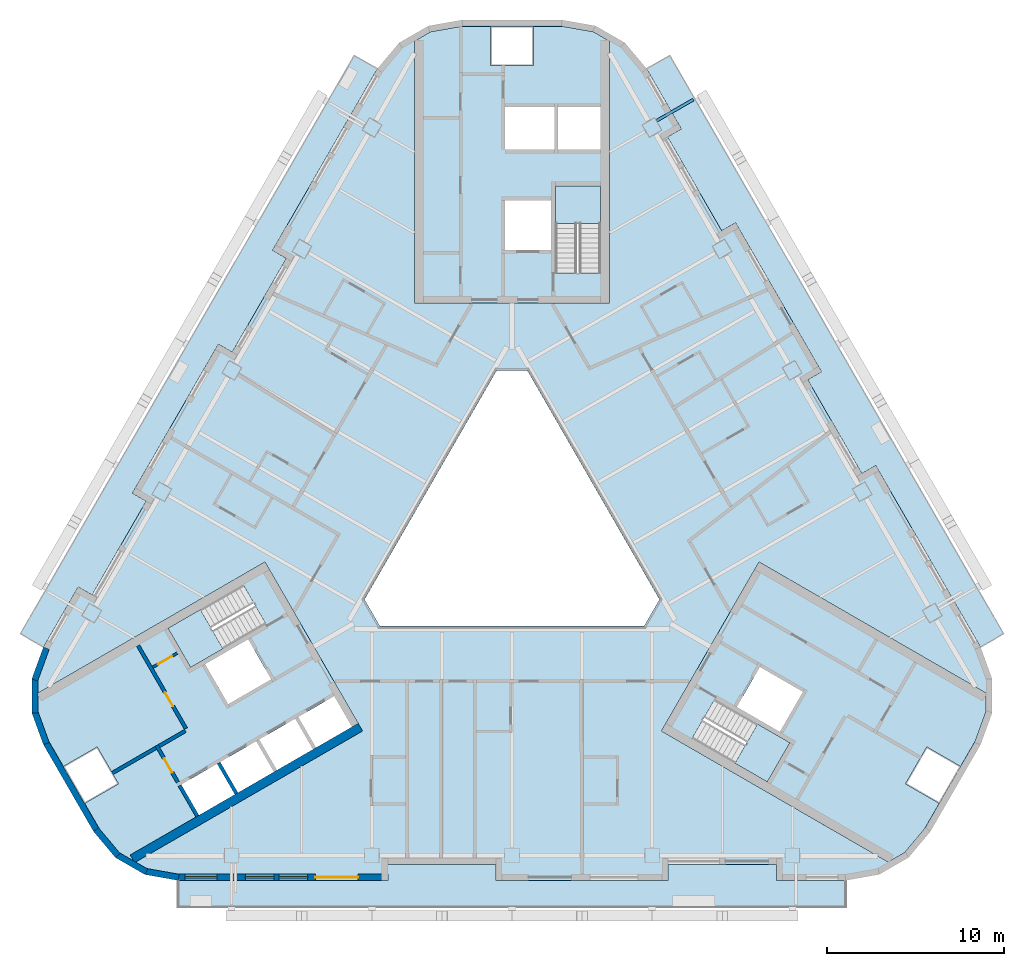
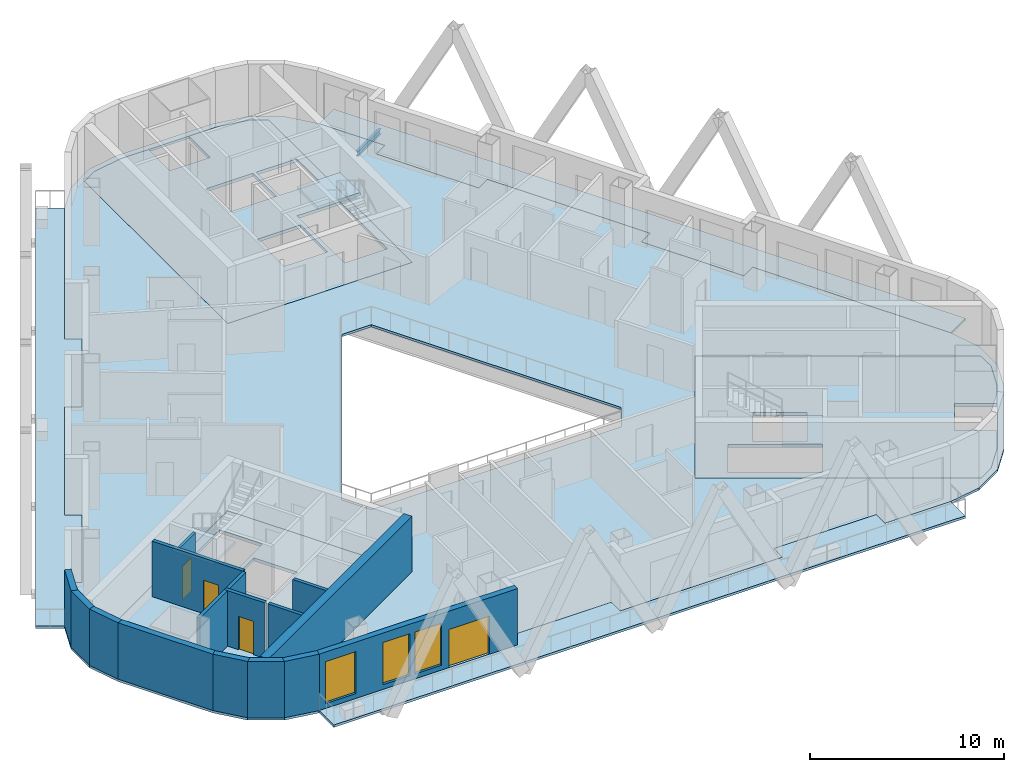
# One storey, part 2 of 14: 16 walls, 10 slabs, 4 doors, 3 windows, 1 beam, 7 openings, 3 elements without a shape of their own.
"""IFC4 building model written with IfcOpenShell, lengths in metres."""

from ifc_helpers import new_model, si_unit, direction, frame, frame_2d, origin, origin_2d, place, context, subcontext, project, spatial, polyline, rectangle, i_section, outline, extrude, material, layer, layer_set, material_profile, profile_set, type_object, element, fill, aggregate, save


model = new_model("IFC4")

# Units and contexts
model_context = context("Model", 3, precision=1e-05, world=origin(), true_north=direction((0.0, 1.0)))
body_context = subcontext(model_context, "Body", "Model", "MODEL_VIEW")
ifc_project = project(units=[si_unit("LENGTHUNIT", "METRE"), si_unit("AREAUNIT", "SQUARE_METRE"), si_unit("VOLUMEUNIT", "CUBIC_METRE"), si_unit("PLANEANGLEUNIT", "RADIAN"), si_unit("MASSUNIT", "GRAM", prefix="KILO")], contexts=[model_context])

# Site, building, storey
site_placement = place(None, origin())
site = spatial("IfcSite", under=ifc_project, at=site_placement, CompositionType="ELEMENT")
building_placement = place(site_placement, origin())
building = spatial("IfcBuilding", under=site, at=building_placement, Name="Apuvela Tower Hotel", CompositionType="ELEMENT")
storey_placement = place(building_placement, frame((0.0, 0.0, 176.199951171875)))
storey = spatial("IfcBuildingStorey", under=building, at=storey_placement, Name="L42", CompositionType="ELEMENT", Elevation=176.199951171875)

# Beam
ifc_material_1 = material(Name="Steel S355", Category="steel")
ifc_material_profile = material_profile(ifc_material_1, i_section(OverallWidth=0.159912109375, OverallDepth=0.330078125, WebThickness=0.007568359375, FlangeThickness=0.011474609375, at=origin_2d()), Name="IPE 330")
ifc_profile_set = profile_set([ifc_material_profile], Name="Steel S355")
beam_type = type_object("IfcBeamType", Name="ENV-BALCONY-BEAM-IPE330", PredefinedType="BEAM", material=ifc_profile_set)
beam_placement = place(storey_placement, frame((8.15576171875, 23.183837890625, -0.31494140625), z_axis=(0.866007538022, 0.500030943131, 0.0), x_axis=(-0.500030943131, 0.866007538022, 0.0)))
element("IfcBeam", 1, at=beam_placement, inside=storey, type_object=beam_type, Name="Balcony cantilever beam NE3 L42", PredefinedType="BEAM", context=body_context, shape_type="SweptSolid", body=[
    extrude(i_section(OverallWidth=0.159912109375, OverallDepth=0.330078125, WebThickness=0.007568359375, FlangeThickness=0.011474609375, at=origin_2d()), origin(), (0.0, 0.0, 1.0), 2.374755859375),
])

# Slabs
ifc_material_2 = material(Name="Concrete C50/60", Category="concrete")
ifc_layer_1 = layer(ifc_material_2, 0.199951171875)
ifc_layer_set_1 = layer_set([ifc_layer_1], Name="COR-FLOOR-200")
slab_type_1 = type_object("IfcSlabType", Name="COR-FLOOR-200", PredefinedType="FLOOR", material=ifc_layer_set_1)
slab_1_placement = place(storey_placement, frame((0.0, 0.0, -0.199951171875)))
element("IfcSlab", 2, at=slab_1_placement, inside=storey, type_object=slab_type_1, Name="Core floor N", PredefinedType="FLOOR", context=body_context, shape_type="SweptSolid", body=[
    extrude(outline(polyline([(5.5, 27.668212890625), (4.588623046875, 28.1943359375), (2.85498046875, 28.5), (1.199951171875, 28.5), (1.199951171875, 26.300048828125), (-1.199951171875, 26.300048828125), (-1.199951171875, 28.5), (-2.85498046875, 28.5), (-4.588623046875, 28.1943359375), (-5.5, 27.668212890625), (-5.5, 12.89990234375), (5.5, 12.89990234375), (5.5, 27.668212890625)]), holes=[polyline([(5.0, 14.60595703125), (2.449951171875, 14.60595703125), (2.449951171875, 19.5), (5.0, 19.5), (5.0, 14.60595703125)]), polyline([(2.199951171875, 15.89990234375), (-0.39990234375, 15.89990234375), (-0.39990234375, 18.699951171875), (2.199951171875, 18.699951171875), (2.199951171875, 15.89990234375)]), polyline([(5.0, 21.550048828125), (2.60009765625, 21.550048828125), (2.60009765625, 23.949951171875), (5.0, 23.949951171875), (5.0, 21.550048828125)]), polyline([(2.39990234375, 21.550048828125), (-0.39990234375, 21.550048828125), (-0.39990234375, 23.949951171875), (2.39990234375, 23.949951171875), (2.39990234375, 21.550048828125)])]), origin(), (0.0, 0.0, 1.0), 0.199951171875),
])
slab_2_placement = place(storey_placement, frame((0.0, 0.0, -0.199951171875)))
element("IfcSlab", 3, at=slab_2_placement, inside=storey, type_object=slab_type_1, Name="Core floor SW", PredefinedType="FLOOR", context=body_context, shape_type="SweptSolid", body=[
    extrude(outline(polyline([(-26.711181640625, -9.07080078125), (-26.711181640625, -10.123291015625), (-26.109375, -11.77734375), (-25.28173828125, -13.210693359375), (-23.37646484375, -12.11083984375), (-22.176513671875, -14.189208984375), (-24.081787109375, -15.289306640625), (-23.254150390625, -16.72265625), (-22.122802734375, -18.071044921875), (-21.211181640625, -18.59716796875), (-8.421630859375, -11.213134765625), (-13.921630859375, -1.68701171875), (-26.711181640625, -9.07080078125)]), holes=[polyline([(-10.01806640625, -9.248046875), (-9.01806640625, -10.97998046875), (-11.044677734375, -12.150146484375), (-12.044677734375, -10.418212890625), (-10.01806640625, -9.248046875)]), polyline([(-14.244384765625, -11.68798828125), (-12.2177734375, -10.51806640625), (-11.2177734375, -12.25), (-13.244384765625, -13.420166015625), (-14.244384765625, -11.68798828125)]), polyline([(-19.387451171875, -5.419921875), (-15.149169921875, -2.972900390625), (-13.874267578125, -5.18115234375), (-18.112548828125, -7.628173828125), (-19.387451171875, -5.419921875)]), polyline([(-14.869873046875, -6.044677734375), (-13.56982421875, -8.29638671875), (-15.99462890625, -9.6962890625), (-17.294677734375, -7.444580078125), (-14.869873046875, -6.044677734375)]), polyline([(-16.444091796875, -12.9580078125), (-14.41748046875, -11.7880859375), (-13.41748046875, -13.52001953125), (-15.444091796875, -14.690185546875), (-16.444091796875, -12.9580078125)]), polyline([(-18.643798828125, -14.22802734375), (-16.6171875, -13.05810546875), (-15.6171875, -14.7900390625), (-17.643798828125, -15.960205078125), (-18.643798828125, -14.22802734375)])]), origin(), (0.0, 0.0, 1.0), 0.199951171875),
])
slab_3_placement = place(storey_placement, frame((0.0, 0.0, -0.199951171875)))
element("IfcSlab", 4, at=slab_3_placement, inside=storey, type_object=slab_type_1, Name="Core floor SE", PredefinedType="FLOOR", context=body_context, shape_type="SweptSolid", body=[
    extrude(outline(polyline([(21.211181640625, -18.59716796875), (22.122802734375, -18.071044921875), (23.254150390625, -16.72265625), (24.081787109375, -15.289306640625), (22.176513671875, -14.189208984375), (23.37646484375, -12.11083984375), (25.28173828125, -13.210693359375), (26.109375, -11.77734375), (26.711181640625, -10.123291015625), (26.711181640625, -9.07080078125), (13.921630859375, -1.68701171875), (8.421630859375, -11.213134765625), (21.211181640625, -18.59716796875)]), holes=[polyline([(11.42431640625, -9.4248046875), (15.66259765625, -11.871826171875), (14.387451171875, -14.080078125), (10.149169921875, -11.633056640625), (11.42431640625, -9.4248046875)]), polyline([(13.9697265625, -7.603515625), (16.394775390625, -9.003662109375), (15.0947265625, -11.25537109375), (12.669921875, -9.855224609375), (13.9697265625, -7.603515625)])]), origin(), (0.0, 0.0, 1.0), 0.199951171875),
])

# Stair, slab
stair_type = type_object("IfcStairType", Name="COR-STAIR-22R", PredefinedType="HALF_TURN_STAIR", material=ifc_material_2)
stair_1_placement = place(storey_placement, origin())
stair_1 = element("IfcStair", 5, at=stair_1_placement, inside=storey, type_object=stair_type, Name="L42 Exit stair ST1", PredefinedType="HALF_TURN_STAIR")
ifc_layer_2 = layer(ifc_material_2, 0.199951171875)
ifc_layer_set_2 = layer_set([ifc_layer_2], Name="COR-LANDING-200")
slab_type_2 = type_object("IfcSlabType", Name="COR-LANDING-200", PredefinedType="LANDING", material=ifc_layer_set_2)
slab_4_placement = place(storey_placement, frame((0.0, 0.0, 1.650146484375)))
slab_4 = element("IfcSlab", 6, at=slab_4_placement, type_object=slab_type_2, Name="ST1 landing 1", PredefinedType="LANDING", context=body_context, shape_type="SweptSolid", body=[
    extrude(outline(polyline([(5.0, 17.39404296875), (5.0, 19.5), (2.449951171875, 19.5), (2.449951171875, 17.39404296875), (5.0, 17.39404296875)])), origin(), (0.0, 0.0, 1.0), 0.199951171875),
])
aggregate(stair_1, [slab_4])

stair_2_placement = place(storey_placement, origin())
stair_2 = element("IfcStair", 7, at=stair_2_placement, inside=storey, type_object=stair_type, Name="L42 Exit stair ST2", PredefinedType="HALF_TURN_STAIR")
slab_5_placement = place(storey_placement, frame((0.0, 0.0, 1.650146484375)))
slab_5 = element("IfcSlab", 8, at=slab_5_placement, type_object=slab_type_2, Name="ST2 landing 1", PredefinedType="LANDING", context=body_context, shape_type="SweptSolid", body=[
    extrude(outline(polyline([(-17.563720703125, -4.366943359375), (-19.387451171875, -5.419921875), (-18.112548828125, -7.628173828125), (-16.28857421875, -6.5751953125), (-17.563720703125, -4.366943359375)])), origin(), (0.0, 0.0, 1.0), 0.199951171875),
])
aggregate(stair_2, [slab_5])

stair_3_placement = place(storey_placement, origin())
stair_3 = element("IfcStair", 9, at=stair_3_placement, inside=storey, type_object=stair_type, Name="L42 Exit stair ST3", PredefinedType="HALF_TURN_STAIR")
slab_6_placement = place(storey_placement, frame((0.0, 0.0, 1.650146484375)))
slab_6 = element("IfcSlab", 10, at=slab_6_placement, type_object=slab_type_2, Name="ST3 landing 1", PredefinedType="LANDING", context=body_context, shape_type="SweptSolid", body=[
    extrude(outline(polyline([(12.563720703125, -13.027099609375), (14.387451171875, -14.080078125), (15.66259765625, -11.871826171875), (13.838623046875, -10.81884765625), (12.563720703125, -13.027099609375)])), origin(), (0.0, 0.0, 1.0), 0.199951171875),
])
aggregate(stair_3, [slab_6])

# Slabs
ifc_material_3 = material(Name="Concrete C40/50, fair-faced", Category="concrete")
ifc_layer_3 = layer(ifc_material_3, 0.14990234375)
ifc_layer_set_3 = layer_set([ifc_layer_3], Name="ENV-BALCONY-150")
slab_type_3 = type_object("IfcSlabType", Name="ENV-BALCONY-150", PredefinedType="FLOOR", material=ifc_layer_set_3)
slab_7_placement = place(storey_placement, frame((0.0, 0.0, -0.14990234375)))
element("IfcSlab", 11, at=slab_7_placement, inside=storey, type_object=slab_type_3, Name="Balcony slab S L42", PredefinedType="FLOOR", context=body_context, shape_type="SweptSolid", body=[
    extrude(outline(polyline([(18.82080078125, -21.135009765625), (-18.82080078125, -21.135009765625), (-18.82080078125, -19.625), (-7.0048828125, -19.625), (-7.0048828125, -18.72509765625), (-0.89501953125, -18.72509765625), (-0.89501953125, -19.625), (8.794921875, -19.625), (8.794921875, -18.72509765625), (14.905029296875, -18.72509765625), (14.905029296875, -19.625), (18.82080078125, -19.625), (18.82080078125, -21.135009765625)])), origin(), (0.0, 0.0, 1.0), 0.14990234375),
])
slab_8_placement = place(storey_placement, frame((0.0, 0.0, -0.14990234375)))
element("IfcSlab", 12, at=slab_8_placement, inside=storey, type_object=slab_type_3, Name="Balcony slab NE L42", PredefinedType="FLOOR", context=body_context, shape_type="SweptSolid", body=[
    extrude(outline(polyline([(17.443359375, 9.037353515625), (12.598388671875, 17.42919921875), (11.81884765625, 16.979248046875), (8.763916015625, 22.2705078125), (9.543212890625, 22.720703125), (7.585205078125, 26.11181640625), (8.89306640625, 26.86669921875), (27.7138671875, -5.731689453125), (26.40625, -6.48681640625), (20.498291015625, 3.74609375), (19.71875, 3.2958984375), (16.663818359375, 8.58740234375), (17.443359375, 9.037353515625)])), origin(), (0.0, 0.0, 1.0), 0.14990234375),
])
slab_9_placement = place(storey_placement, frame((0.0, 0.0, -0.14990234375)))
element("IfcSlab", 13, at=slab_9_placement, inside=storey, type_object=slab_type_3, Name="Balcony slab NW L42", PredefinedType="FLOOR", context=body_context, shape_type="SweptSolid", body=[
    extrude(outline(polyline([(-27.7138671875, -5.731689453125), (-8.89306640625, 26.86669921875), (-7.585205078125, 26.11181640625), (-13.4931640625, 15.87890625), (-12.7138671875, 15.428955078125), (-15.768798828125, 10.1376953125), (-16.548095703125, 10.587646484375), (-21.393310546875, 2.19580078125), (-20.61376953125, 1.745849609375), (-23.668701171875, -3.545654296875), (-24.4482421875, -3.095703125), (-26.40625, -6.48681640625), (-27.7138671875, -5.731689453125)])), origin(), (0.0, 0.0, 1.0), 0.14990234375),
])
ifc_material_4 = material(Name="Concrete C35/45", Category="concrete")
ifc_layer_4 = layer(ifc_material_4, 0.14990234375)
ifc_layer_set_4 = layer_set([ifc_layer_4], Name="STR-SLAB 150 floor Concrete C35/45")
slab_type_4 = type_object("IfcSlabType", Name="STR-SLAB 150 floor Concrete C35/45", PredefinedType="FLOOR", material=ifc_layer_set_4)
slab_10_placement = place(storey_placement, frame((0.0, 0.0, -0.14990234375)))
element("IfcSlab", 14, at=slab_10_placement, inside=storey, type_object=slab_type_4, Name="Floor slab S4 L42", PredefinedType="FLOOR", context=body_context, shape_type="SweptSolid", body=[
    extrude(outline(polyline([(-6.3642578125, 27.5732421875), (-4.710205078125, 28.5283203125), (-2.8291015625, 28.860107421875), (2.8291015625, 28.860107421875), (4.710205078125, 28.5283203125), (6.3642578125, 27.5732421875), (7.59228515625, 26.110107421875), (9.550048828125, 22.71875), (8.770751953125, 22.268798828125), (11.82080078125, 16.986083984375), (12.60009765625, 17.43603515625), (17.4501953125, 9.035400390625), (16.670654296875, 8.58544921875), (19.720703125, 3.302734375), (20.5, 3.752685546875), (26.407958984375, -6.47998046875), (27.061279296875, -8.27490234375), (27.061279296875, -10.18505859375), (26.407958984375, -11.97998046875), (23.5791015625, -16.8798828125), (22.351318359375, -18.34326171875), (20.697021484375, -19.29833984375), (18.81591796875, -19.6298828125), (14.89990234375, -19.6298828125), (14.89990234375, -18.72998046875), (8.800048828125, -18.72998046875), (8.800048828125, -19.6298828125), (-0.89990234375, -19.6298828125), (-0.89990234375, -18.72998046875), (-7.0, -18.72998046875), (-7.0, -19.6298828125), (-18.81591796875, -19.6298828125), (-20.697021484375, -19.29833984375), (-22.351318359375, -18.34326171875), (-23.5791015625, -16.8798828125), (-26.407958984375, -11.97998046875), (-27.061279296875, -10.18505859375), (-27.061279296875, -8.27490234375), (-26.407958984375, -6.47998046875), (-24.4501953125, -3.088623046875), (-23.670654296875, -3.538818359375), (-20.62060546875, 1.743896484375), (-21.400146484375, 2.194091796875), (-16.550048828125, 10.594482421875), (-15.7705078125, 10.14453125), (-12.720703125, 15.42724609375), (-13.5, 15.877197265625), (-7.59228515625, 26.110107421875), (-6.3642578125, 27.5732421875)]), holes=[polyline([(0.865966796875, 9.10009765625), (-0.865966796875, 9.10009765625), (-8.313720703125, -3.800048828125), (-7.44775390625, -5.300048828125), (7.44775390625, -5.300048828125), (8.313720703125, -3.800048828125), (0.865966796875, 9.10009765625)]), polyline([(-5.5, 12.89990234375), (-5.5, 27.668212890625), (-4.588623046875, 28.1943359375), (-2.85498046875, 28.5), (2.85498046875, 28.5), (4.588623046875, 28.1943359375), (5.5, 27.668212890625), (5.5, 12.89990234375), (-5.5, 12.89990234375)]), polyline([(-8.421630859375, -11.213134765625), (-21.211181640625, -18.59716796875), (-22.122802734375, -18.071044921875), (-23.254150390625, -16.72265625), (-26.109375, -11.77734375), (-26.711181640625, -10.123291015625), (-26.711181640625, -9.07080078125), (-13.921630859375, -1.68701171875), (-8.421630859375, -11.213134765625)]), polyline([(13.921630859375, -1.68701171875), (26.711181640625, -9.07080078125), (26.711181640625, -10.123291015625), (26.109375, -11.77734375), (23.254150390625, -16.72265625), (22.122802734375, -18.071044921875), (21.211181640625, -18.59716796875), (8.421630859375, -11.213134765625), (13.921630859375, -1.68701171875)])]), origin(), (0.0, 0.0, 1.0), 0.14990234375),
])

# Wall
ifc_layer_5 = layer(ifc_material_2, 0.5)
ifc_layer_set_5 = layer_set([ifc_layer_5], Name="COR-WALL-CORE-500")
wall_type_1 = type_object("IfcWallType", Name="COR-WALL-CORE-500", PredefinedType="SHEAR", material=ifc_layer_set_5)
wall_1_placement = place(storey_placement, frame((-8.546630859375, -10.99658203125, 0.0), z_axis=(0.0, 0.0, 1.0), x_axis=(-0.866025009528, -0.500000682871, 0.0)))
element("IfcWall", 15, at=wall_1_placement, inside=storey, type_object=wall_type_1, Name="Core wall SW", PredefinedType="SHEAR", context=body_context, shape_type="SweptSolid", body=[
    extrude(rectangle(XDim=14.8369140625, YDim=0.5, at=frame_2d((7.41845703125, 0.0))), origin(), (0.0, 0.0, 1.0), 3.5),
])

# Wall, opening, door
ifc_material_5 = material(Name="Blockwork 150 mm plastered", Category="masonry")
ifc_layer_6 = layer(ifc_material_5, 0.14990234375)
ifc_layer_set_6 = layer_set([ifc_layer_6], Name="COR-WALL-PART-150")
wall_type_2 = type_object("IfcWallType", Name="COR-WALL-PART-150", PredefinedType="PARTITIONING", material=ifc_layer_set_6)
wall_2_placement = place(storey_placement, frame((-18.866455078125, -6.822265625, 0.0), z_axis=(0.0, 0.0, 1.0), x_axis=(-0.866028054938, -0.499995408039, 0.0)))
wall_2 = element("IfcWall", 16, at=wall_2_placement, inside=storey, type_object=wall_type_2, Name="Partition SW", PredefinedType="PARTITIONING", context=body_context, shape_type="SweptSolid", body=[
    extrude(rectangle(XDim=1.60009765625, YDim=0.14990234375, at=frame_2d((0.800048828125, 0.0))), origin(), (0.0, 0.0, 1.0), 3.5),
])
opening_1_placement = place(wall_2_placement, frame((0.35009765625, 0.0, 0.0)))
opening_1 = element("IfcOpeningElement", 17, at=opening_1_placement, cuts=wall_2, Name="Opening W-RD", PredefinedType="OPENING", context=body_context, shape_type="SweptSolid", body=[
    extrude(rectangle(XDim=0.89990234375, YDim=2.10009765625, at=frame_2d((0.449951171875, 1.050048828125))), frame((0.0, 0.0849609375, 0.0), z_axis=(0.0, -1.0, 0.0), x_axis=(1.0, 0.0, 0.0)), (0.0, 0.0, 1.0), 0.169921875),
])
ifc_material_6 = material(Name="Steel access door, powder coated", Category="steel")
door_type_1 = type_object("IfcDoorType", Name="COR-RD-900", OperationType="NOTDEFINED", PredefinedType="DOOR", material=ifc_material_6)
door_1_placement = place(opening_1_placement, frame((0.89990234375, 0.0, 0.0), z_axis=(0.0, 0.0, 1.0), x_axis=(-1.0, 0.0, 0.0)))
door_1 = element("IfcDoor", 18, at=door_1_placement, inside=storey, type_object=door_type_1, Name="Riser door W-RD", OperationType="SINGLE_SWING_RIGHT", OverallHeight=2.10009765625, OverallWidth=0.89990234375, PredefinedType="DOOR", context=body_context, shape_type="SweptSolid", body=[
    extrude(rectangle(XDim=0.89990234375, YDim=2.10009765625, at=frame_2d((0.449951171875, 1.050048828125))), frame((0.0, 0.02490234375, 0.0), z_axis=(0.0, -1.0, 0.0), x_axis=(1.0, 0.0, 0.0)), (0.0, 0.0, 1.0), 0.050048828125),
])
fill(opening_1, door_1)

ifc_material_7 = material(Name="Blockwork 200 mm plastered", Category="masonry")
ifc_layer_7 = layer(ifc_material_7, 0.199951171875)
ifc_layer_set_7 = layer_set([ifc_layer_7], Name="COR-WALL-PART-200")
wall_type_3 = type_object("IfcWallType", Name="COR-WALL-PART-200", PredefinedType="PARTITIONING", material=ifc_layer_set_7)
wall_3_placement = place(storey_placement, frame((-21.076171875, -6.39501953125, 0.0), z_axis=(0.0, 0.0, 1.0), x_axis=(0.50001468107, -0.866016927499, 0.0)))
wall_3 = element("IfcWall", 19, at=wall_3_placement, inside=storey, type_object=wall_type_3, Name="Partition SW", PredefinedType="PARTITIONING", context=body_context, shape_type="SweptSolid", body=[
    extrude(rectangle(XDim=5.399658203125, YDim=0.199951171875, at=frame_2d((2.69970703125, 0.0))), origin(), (0.0, 0.0, 1.0), 3.5),
])
opening_2_placement = place(wall_3_placement, frame((3.050048828125, 0.0, 0.0)))
opening_2 = element("IfcOpeningElement", 20, at=opening_2_placement, cuts=wall_3, Name="Opening W-RS1", PredefinedType="OPENING", context=body_context, shape_type="SweptSolid", body=[
    extrude(rectangle(XDim=0.89990234375, YDim=2.10009765625, at=frame_2d((0.449951171875, 1.050048828125))), frame((0.0, 0.10986328125, 0.0), z_axis=(0.0, -1.0, 0.0), x_axis=(1.0, 0.0, 0.0)), (0.0, 0.0, 1.0), 0.219970703125),
])
ifc_material_8 = material(Name="Steel fire door, powder coated", Category="steel")
door_type_2 = type_object("IfcDoorType", Name="COR-DR-900", OperationType="NOTDEFINED", PredefinedType="DOOR", material=ifc_material_8)
door_2_placement = place(opening_2_placement, frame((0.89990234375, 0.0, 0.0), z_axis=(0.0, 0.0, 1.0), x_axis=(-1.0, 0.0, 0.0)))
door_2 = element("IfcDoor", 21, at=door_2_placement, inside=storey, type_object=door_type_2, Name="Store door W-RS1", OperationType="SINGLE_SWING_LEFT", OverallHeight=2.10009765625, OverallWidth=0.89990234375, PredefinedType="DOOR", context=body_context, shape_type="SweptSolid", body=[
    extrude(rectangle(XDim=0.89990234375, YDim=2.10009765625, at=frame_2d((0.449951171875, 1.050048828125))), frame((0.0, 0.02490234375, 0.0), z_axis=(0.0, -1.0, 0.0), x_axis=(1.0, 0.0, 0.0)), (0.0, 0.0, 1.0), 0.050048828125),
])
fill(opening_2, door_2)

ifc_layer_8 = layer(ifc_material_2, 0.199951171875)
ifc_layer_set_8 = layer_set([ifc_layer_8], Name="COR-WALL-SHAFT-200")
wall_type_4 = type_object("IfcWallType", Name="COR-WALL-SHAFT-200", PredefinedType="SHEAR", material=ifc_layer_set_8)
wall_4_placement = place(storey_placement, frame((-20.030517578125, -12.0263671875, 0.0), z_axis=(0.0, 0.0, 1.0), x_axis=(0.500033551112, -0.866006032174, 0.0)))
wall_4 = element("IfcWall", 22, at=wall_4_placement, inside=storey, type_object=wall_type_4, Name="Shaft wall SW", PredefinedType="SHEAR", context=body_context, shape_type="SweptSolid", body=[
    extrude(rectangle(XDim=2.400146484375, YDim=0.199951171875, at=frame_2d((1.2001953125, 0.0))), origin(), (0.0, 0.0, 1.0), 3.5),
])
opening_3_placement = place(wall_4_placement, frame((0.85009765625, 0.0, 0.0)))
opening_3 = element("IfcOpeningElement", 23, at=opening_3_placement, cuts=wall_4, Name="Opening W-REP", PredefinedType="OPENING", context=body_context, shape_type="SweptSolid", body=[
    extrude(rectangle(XDim=0.89990234375, YDim=2.10009765625, at=frame_2d((0.449951171875, 1.050048828125))), frame((0.0, 0.10986328125, 0.0), z_axis=(0.0, -1.0, 0.0), x_axis=(1.0, 0.0, 0.0)), (0.0, 0.0, 1.0), 0.219970703125),
])
door_3_placement = place(opening_3_placement, frame((0.89990234375, 0.0, 0.0), z_axis=(0.0, 0.0, 1.0), x_axis=(-1.0, 0.0, 0.0)))
door_3 = element("IfcDoor", 24, at=door_3_placement, inside=storey, type_object=door_type_2, Name="Store door W-REP", OperationType="SINGLE_SWING_LEFT", OverallHeight=2.10009765625, OverallWidth=0.89990234375, PredefinedType="DOOR", context=body_context, shape_type="SweptSolid", body=[
    extrude(rectangle(XDim=0.89990234375, YDim=2.10009765625, at=frame_2d((0.449951171875, 1.050048828125))), frame((0.0, 0.02490234375, 0.0), z_axis=(0.0, -1.0, 0.0), x_axis=(1.0, 0.0, 0.0)), (0.0, 0.0, 1.0), 0.050048828125),
])
fill(opening_3, door_3)

# Walls
wall_5_placement = place(storey_placement, frame((-18.412841796875, -11.2080078125, 0.0), z_axis=(0.0, 0.0, 1.0), x_axis=(-0.866038183914, -0.499977863513, 0.0)))
element("IfcWall", 25, at=wall_5_placement, inside=storey, type_object=wall_type_4, Name="Shaft wall SW", PredefinedType="SHEAR", context=body_context, shape_type="SweptSolid", body=[
    extrude(rectangle(XDim=1.7099609375, YDim=0.199951171875, at=frame_2d((0.85498046875, 0.0))), origin(), (0.0, 0.0, 1.0), 3.5),
])
for number, where, z_axis, x_axis, name in (
    (26, (-16.530517578125, -13.008056640625, 0.0), (0.0, 0.0, 1.0), (0.50002537861, -0.866010750942, 0.0), "Shaft wall SW"),
    (27, (-18.73046875, -14.278076171875, 0.0), (0.0, 0.0, 1.0), (0.50002537861, -0.866010750942, 0.0), "Shaft wall SW"),
):
    element("IfcWall", number, at=place(storey_placement, frame(where, z_axis=z_axis, x_axis=x_axis)), inside=storey, type_object=wall_type_4, Name=name, PredefinedType="SHEAR", context=body_context, shape_type="SweptSolid", body=[
        extrude(rectangle(XDim=2.0, YDim=0.199951171875, at=frame_2d((1.0, 0.0))), origin(), (0.0, 0.0, 1.0), 3.5),
    ])
wall_6_placement = place(storey_placement, frame((-20.06689453125, -12.1630859375, 0.0), z_axis=(0.0, 0.0, 1.0), x_axis=(-0.866055327414, -0.49994816717, 0.0)))
element("IfcWall", 28, at=wall_6_placement, inside=storey, type_object=wall_type_4, Name="Shaft wall SW", PredefinedType="SHEAR", context=body_context, shape_type="SweptSolid", body=[
    extrude(rectangle(XDim=2.840087890625, YDim=0.199951171875, at=frame_2d((1.419921875, 0.0))), origin(), (0.0, 0.0, 1.0), 3.5),
])
ifc_material_9 = material(Name="Concrete C40/50, dark pigmented precast panel", Category="concrete")
ifc_layer_9 = layer(ifc_material_9, 0.35009765625)
ifc_layer_set_9 = layer_set([ifc_layer_9], Name="ENV-WALL-350")
wall_type_5 = type_object("IfcWallType", Name="ENV-WALL-350", PredefinedType="SOLIDWALL", material=ifc_layer_set_9)
for number, where, z_axis, x_axis, name in (
    (29, (-26.24365234375, -6.539794921875, 0.0), (0.0, 0.0, 1.0), (-0.342030395486, -0.939688889242, 0.0), "External wall L42-10"),
    (30, (-26.88623046875, -8.27490234375, 0.0), (0.0, 0.0, 1.0), (0.0, -1.0, 0.0), "External wall L42-11"),
    (31, (-26.89697265625, -10.125244140625, 0.0), (0.0, 0.0, 1.0), (0.342030395486, -0.939688889242, 0.0), "External wall L42-12"),
):
    element("IfcWall", number, at=place(storey_placement, frame(where, z_axis=z_axis, x_axis=x_axis)), inside=storey, type_object=wall_type_5, Name=name, PredefinedType="SOLIDWALL", context=body_context, shape_type="SweptSolid", body=[
        extrude(rectangle(XDim=1.91015625, YDim=0.35009765625, at=frame_2d((0.955078125, 0.0))), origin(), (0.0, 0.0, 1.0), 3.550048828125),
    ])
wall_7_placement = place(storey_placement, frame((-26.256591796875, -11.892578125, 0.0), z_axis=(0.0, 0.0, 1.0), x_axis=(0.500018773155, -0.866014564827, 0.0)))
element("IfcWall", 32, at=wall_7_placement, inside=storey, type_object=wall_type_5, Name="External wall L42-13", PredefinedType="SOLIDWALL", context=body_context, shape_type="SweptSolid", body=[
    extrude(rectangle(XDim=5.657958984375, YDim=0.35009765625, at=frame_2d((2.8291015625, 0.0))), origin(), (0.0, 0.0, 1.0), 3.550048828125),
])
for number, where, z_axis, x_axis, name in (
    (33, (-23.44482421875, -16.767578125, 0.0), (0.0, 0.0, 1.0), (0.642733291068, -0.76609001857, 0.0), "External wall L42-14"),
    (34, (-22.263671875, -18.191650390625, 0.0), (0.0, 0.0, 1.0), (0.866000389056, -0.500043324278, 0.0), "External wall L42-15"),
):
    element("IfcWall", number, at=place(storey_placement, frame(where, z_axis=z_axis, x_axis=x_axis)), inside=storey, type_object=wall_type_5, Name=name, PredefinedType="SOLIDWALL", context=body_context, shape_type="SweptSolid", body=[
        extrude(rectangle(XDim=1.909912109375, YDim=0.35009765625, at=frame_2d((0.955078125, 0.0))), origin(), (0.0, 0.0, 1.0), 3.550048828125),
    ])
wall_8_placement = place(storey_placement, frame((-20.66650390625, -19.1259765625, 0.0), z_axis=(0.0, 0.0, 1.0), x_axis=(0.984798995425, -0.173697837091, 0.0)))
element("IfcWall", 35, at=wall_8_placement, inside=storey, type_object=wall_type_5, Name="External wall L42-16", PredefinedType="SOLIDWALL", context=body_context, shape_type="SweptSolid", body=[
    extrude(rectangle(XDim=1.91015625, YDim=0.35009765625, at=frame_2d((0.955078125, 0.0))), origin(), (0.0, 0.0, 1.0), 3.550048828125),
])

# Wall, openings, door, windows
wall_9_placement = place(storey_placement, frame((-18.81591796875, -19.455078125, 0.0), z_axis=(0.0, 0.0, 1.0), x_axis=(1.0, 0.0, 0.0)))
wall_9 = element("IfcWall", 36, at=wall_9_placement, inside=storey, type_object=wall_type_5, Name="External wall L42-17", PredefinedType="SOLIDWALL", context=body_context, shape_type="SweptSolid", body=[
    extrude(rectangle(XDim=11.81591796875, YDim=0.35009765625, at=frame_2d((5.907958984375, 0.0))), origin(), (0.0, 0.0, 1.0), 3.550048828125),
])
opening_4_placement = place(wall_9_placement, frame((0.380615234375, 0.0, 0.300048828125)))
opening_4 = element("IfcOpeningElement", 37, at=opening_4_placement, cuts=wall_9, Name="Opening WN18", PredefinedType="OPENING", context=body_context, shape_type="SweptSolid", body=[
    extrude(rectangle(XDim=1.800048828125, YDim=2.64990234375, at=frame_2d((0.89990234375, 1.324951171875))), frame((0.0, 0.18505859375, 0.0), z_axis=(0.0, -1.0, 0.0), x_axis=(1.0, 0.0, 0.0)), (0.0, 0.0, 1.0), 0.3701171875),
])
opening_5_placement = place(wall_9_placement, frame((7.740478515625, 0.0, 0.0)))
opening_5 = element("IfcOpeningElement", 38, at=opening_5_placement, cuts=wall_9, Name="Opening BD24", PredefinedType="OPENING", context=body_context, shape_type="SweptSolid", body=[
    extrude(rectangle(XDim=2.39990234375, YDim=2.39990234375, at=frame_2d((1.199951171875, 1.199951171875))), frame((0.0, 0.18505859375, 0.0), z_axis=(0.0, -1.0, 0.0), x_axis=(1.0, 0.0, 0.0)), (0.0, 0.0, 1.0), 0.3701171875),
])
opening_6_placement = place(wall_9_placement, frame((3.790771484375, 0.0, 0.300048828125)))
opening_6 = element("IfcOpeningElement", 39, at=opening_6_placement, cuts=wall_9, Name="Opening WN16", PredefinedType="OPENING", context=body_context, shape_type="SweptSolid", body=[
    extrude(rectangle(XDim=1.60009765625, YDim=2.64990234375, at=frame_2d((0.800048828125, 1.324951171875))), frame((0.0, 0.18505859375, 0.0), z_axis=(0.0, -1.0, 0.0), x_axis=(1.0, 0.0, 0.0)), (0.0, 0.0, 1.0), 0.3701171875),
])
opening_7_placement = place(wall_9_placement, frame((5.69091796875, 0.0, 0.300048828125)))
opening_7 = element("IfcOpeningElement", 40, at=opening_7_placement, cuts=wall_9, Name="Opening WN16", PredefinedType="OPENING", context=body_context, shape_type="SweptSolid", body=[
    extrude(rectangle(XDim=1.60009765625, YDim=2.64990234375, at=frame_2d((0.800048828125, 1.324951171875))), frame((0.0, 0.18505859375, 0.0), z_axis=(0.0, -1.0, 0.0), x_axis=(1.0, 0.0, 0.0)), (0.0, 0.0, 1.0), 0.3701171875),
])
ifc_material_10 = material(Name="Aluminium 6063-T6, dark bronze anodised frame with dark tinted laminated glass", Category="aluminium")
door_type_3 = type_object("IfcDoorType", Name="ENV-DOOR-BALCONY-2400x2400", OperationType="SLIDING_TO_LEFT", PredefinedType="DOOR", material=ifc_material_10)
door_4_placement = place(opening_5_placement, frame((2.39990234375, 0.0, 0.0), z_axis=(0.0, 0.0, 1.0), x_axis=(-1.0, 0.0, 0.0)))
door_4 = element("IfcDoor", 41, at=door_4_placement, inside=storey, type_object=door_type_3, Name="Balcony door BD24", OperationType="SLIDING_TO_LEFT", OverallHeight=2.39990234375, OverallWidth=2.39990234375, PredefinedType="DOOR", context=body_context, shape_type="SweptSolid", body=[
    extrude(rectangle(XDim=2.39990234375, YDim=2.39990234375, at=frame_2d((1.199951171875, 1.199951171875))), frame((0.0, 0.02490234375, 0.0), z_axis=(0.0, -1.0, 0.0), x_axis=(1.0, 0.0, 0.0)), (0.0, 0.0, 1.0), 0.050048828125),
])
fill(opening_5, door_4)
ifc_material_11 = material(Name="Glass, dark tinted laminated insulated glazing unit", Category="glass")
window_type_1 = type_object("IfcWindowType", Name="ENV-WIN-1600x2650", PartitioningType="SINGLE_PANEL", PredefinedType="WINDOW", material=ifc_material_11)
window_1_placement = place(opening_6_placement, origin())
window_1 = element("IfcWindow", 42, at=window_1_placement, inside=storey, type_object=window_type_1, Name="Window WN16", OverallHeight=2.64990234375, OverallWidth=1.60009765625, PartitioningType="SINGLE_PANEL", PredefinedType="WINDOW", context=body_context, shape_type="SweptSolid", body=[
    extrude(rectangle(XDim=1.60009765625, YDim=2.64990234375, at=frame_2d((0.800048828125, 1.324951171875))), frame((0.0, 0.030029296875, 0.0), z_axis=(0.0, -1.0, 0.0), x_axis=(1.0, 0.0, 0.0)), (0.0, 0.0, 1.0), 0.06005859375),
])
fill(opening_6, window_1)
window_2_placement = place(opening_7_placement, origin())
window_2 = element("IfcWindow", 43, at=window_2_placement, inside=storey, type_object=window_type_1, Name="Window WN16", OverallHeight=2.64990234375, OverallWidth=1.60009765625, PartitioningType="SINGLE_PANEL", PredefinedType="WINDOW", context=body_context, shape_type="SweptSolid", body=[
    extrude(rectangle(XDim=1.60009765625, YDim=2.64990234375, at=frame_2d((0.800048828125, 1.324951171875))), frame((0.0, 0.030029296875, 0.0), z_axis=(0.0, -1.0, 0.0), x_axis=(1.0, 0.0, 0.0)), (0.0, 0.0, 1.0), 0.06005859375),
])
fill(opening_7, window_2)
window_type_2 = type_object("IfcWindowType", Name="ENV-WIN-1800x2650", PartitioningType="SINGLE_PANEL", PredefinedType="WINDOW", material=ifc_material_11)
window_3_placement = place(opening_4_placement, origin())
window_3 = element("IfcWindow", 44, at=window_3_placement, inside=storey, type_object=window_type_2, Name="Window WN18", OverallHeight=2.64990234375, OverallWidth=1.800048828125, PartitioningType="SINGLE_PANEL", PredefinedType="WINDOW", context=body_context, shape_type="SweptSolid", body=[
    extrude(rectangle(XDim=1.800048828125, YDim=2.64990234375, at=frame_2d((0.89990234375, 1.324951171875))), frame((0.0, 0.030029296875, 0.0), z_axis=(0.0, -1.0, 0.0), x_axis=(1.0, 0.0, 0.0)), (0.0, 0.0, 1.0), 0.06005859375),
])
fill(opening_4, window_3)

save(model, "model.ifc")
